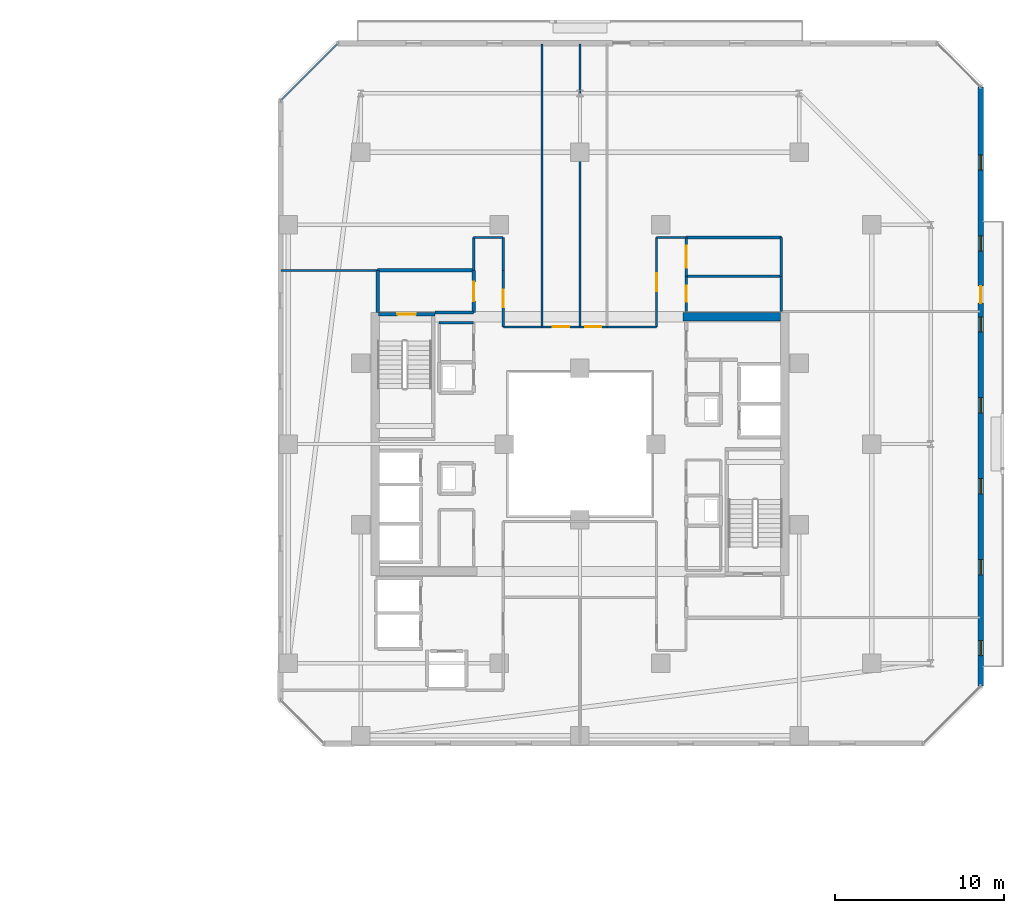
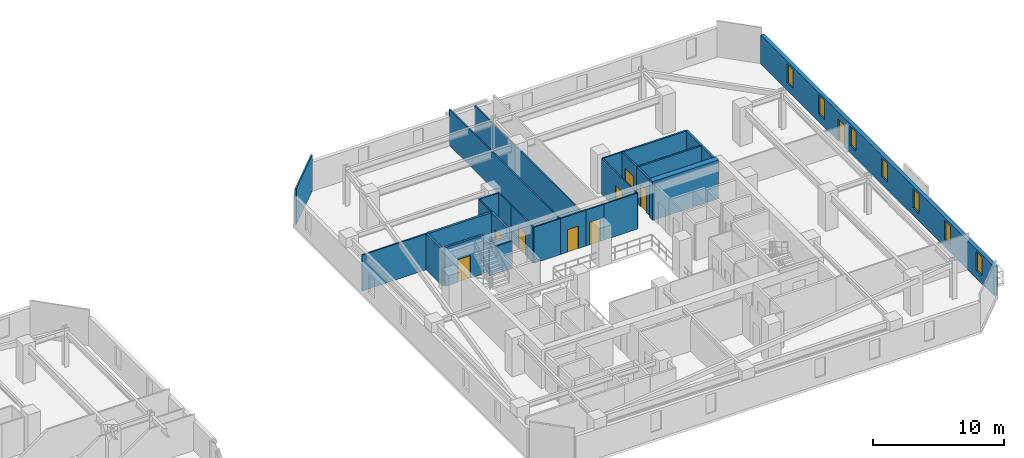
# One storey, part 25 of 33: 28 walls, 9 doors, 7 windows, 16 openings.
"""IFC4 building model written with IfcOpenShell, lengths in metres."""

from ifc_helpers import new_model, si_unit, direction, frame, frame_2d, origin, place, context, subcontext, project, spatial, rectangle, extrude, material, layer, layer_set, type_object, element, fill, save


model = new_model("IFC4")

# Units and contexts
model_context = context("Model", 3, precision=1e-05, world=origin(), true_north=direction((0.0, 1.0)))
body_context = subcontext(model_context, "Body", "Model", "MODEL_VIEW")
ifc_project = project(units=[si_unit("LENGTHUNIT", "METRE"), si_unit("AREAUNIT", "SQUARE_METRE"), si_unit("VOLUMEUNIT", "CUBIC_METRE"), si_unit("PLANEANGLEUNIT", "RADIAN"), si_unit("MASSUNIT", "GRAM", prefix="KILO")], contexts=[model_context])

# Site, building, storey
site_placement = place(None, origin())
site = spatial("IfcSite", under=ifc_project, at=site_placement, CompositionType="ELEMENT")
building_placement = place(site_placement, origin())
building = spatial("IfcBuilding", under=site, at=building_placement, Name="Thornwick Lancets Civic Towers", CompositionType="ELEMENT")
storey_placement = place(building_placement, frame((0.0, 0.0, 159.89990234375)))
storey = spatial("IfcBuildingStorey", under=building, at=storey_placement, Name="L42", CompositionType="ELEMENT", Elevation=159.89990234375)

# Wall
ifc_material_1 = material(Name="Concrete blockwork C40/50", Category="masonry")
ifc_layer_1 = layer(ifc_material_1, 0.199951171875, Name="Concrete blockwork C40/50")
ifc_layer_set_1 = layer_set([ifc_layer_1], Name="Concrete blockwork C40/50")
wall_type_1 = type_object("IfcWallType", Name="WALL_COMP_200", PredefinedType="STANDARD", material=ifc_layer_set_1)
wall_1_placement = place(storey_placement, frame((79.89990234375, 34.800048828125, 0.0), z_axis=(0.0, 0.0, 1.0), x_axis=(1.0, 0.0, 0.0)))
element("IfcWall", 1, at=wall_1_placement, inside=storey, type_object=wall_type_1, Name="L42 Partition L42-B-FFLOB2 E1", PredefinedType="STANDARD", context=body_context, shape_type="SweptSolid", body=[
    extrude(rectangle(XDim=2.300048828125, YDim=0.199951171875, at=frame_2d((1.14990234375, 0.0))), origin(), (0.0, 0.0, 1.0), 2.545166015625),
])

# Wall, opening, door
wall_2_placement = place(storey_placement, frame((82.199951171875, 34.800048828125, 0.0), z_axis=(0.0, 0.0, 1.0), x_axis=(0.0, 1.0, 0.0)))
wall_2 = element("IfcWall", 2, at=wall_2_placement, inside=storey, type_object=wall_type_1, Name="L42 Partition L42-B-FFLOB2 E2", PredefinedType="STANDARD", context=body_context, shape_type="SweptSolid", body=[
    extrude(rectangle(XDim=2.5, YDim=0.199951171875, at=frame_2d((1.25, 0.0))), origin(), (0.0, 0.0, 1.0), 3.340087890625),
])
opening_1_placement = place(wall_2_placement, frame((0.675048828125, 0.0, 0.0)))
opening_1 = element("IfcOpeningElement", 3, at=opening_1_placement, cuts=wall_2, Name="Opening D-L42-1878", PredefinedType="OPENING", context=body_context, shape_type="SweptSolid", body=[
    extrude(rectangle(XDim=1.14990234375, YDim=2.10009765625, at=frame_2d((0.574951171875, 1.050048828125))), frame((0.0, 0.10986328125, 0.0), z_axis=(0.0, -1.0, 0.0), x_axis=(1.0, 0.0, 0.0)), (0.0, 0.0, 1.0), 0.219970703125),
])
ifc_material_2 = material(Name="Glazed fire-resisting steel", Category="steel")
door_type_1 = type_object("IfcDoorType", Name="DOOR_LOBBY_FD60", OperationType="NOTDEFINED", PredefinedType="DOOR", material=ifc_material_2)
door_1_placement = place(opening_1_placement, origin())
door_1 = element("IfcDoor", 4, at=door_1_placement, inside=storey, type_object=door_type_1, Name="L42 West Firefighting Lobby 2 Door", OperationType="SINGLE_SWING_LEFT", OverallHeight=2.10009765625, OverallWidth=1.14990234375, PredefinedType="DOOR", context=body_context, shape_type="SweptSolid", body=[
    extrude(rectangle(XDim=1.14990234375, YDim=2.10009765625, at=frame_2d((0.574951171875, 1.050048828125))), frame((0.0, 0.02490234375, 0.0), z_axis=(0.0, -1.0, 0.0), x_axis=(1.0, 0.0, 0.0)), (0.0, 0.0, 1.0), 0.050048828125),
])
fill(opening_1, door_1)

# Walls
wall_3_placement = place(storey_placement, frame((82.199951171875, 37.300048828125, 0.0), z_axis=(0.0, 0.0, 1.0), x_axis=(-1.0, 0.0, 0.0)))
element("IfcWall", 5, at=wall_3_placement, inside=storey, type_object=wall_type_1, Name="L42 Partition L42-B-FFLOB2 E3", PredefinedType="STANDARD", context=body_context, shape_type="SweptSolid", body=[
    extrude(rectangle(XDim=5.699951171875, YDim=0.199951171875, at=frame_2d((2.85009765625, 0.0))), origin(), (0.0, 0.0, 1.0), 3.340087890625),
])
wall_4_placement = place(storey_placement, frame((76.5, 37.300048828125, 0.0), z_axis=(0.0, 0.0, 1.0), x_axis=(0.0, -1.0, 0.0)))
element("IfcWall", 6, at=wall_4_placement, inside=storey, type_object=wall_type_1, Name="L42 Partition L42-B-FFLOB2 E4", PredefinedType="STANDARD", context=body_context, shape_type="SweptSolid", body=[
    extrude(rectangle(XDim=2.5, YDim=0.199951171875, at=frame_2d((1.25, 0.0))), origin(), (0.0, 0.0, 1.0), 3.340087890625),
])
ifc_material_3 = material(Name="Concrete C50/60", Category="concrete")
ifc_layer_2 = layer(ifc_material_3, 0.5, Name="Concrete C50/60")
ifc_layer_set_2 = layer_set([ifc_layer_2], Name="Concrete C50/60")
wall_type_2 = type_object("IfcWallType", Name="WALL_CORE_500", PredefinedType="SHEAR", material=ifc_layer_set_2)
wall_5_placement = place(storey_placement, frame((94.60009765625, 34.550048828125, 0.0), z_axis=(0.0, 0.0, 1.0), x_axis=(1.0, 0.0, 0.0)))
element("IfcWall", 7, at=wall_5_placement, inside=storey, type_object=wall_type_2, Name="L42 Split Core B1 Shear Wall N", PredefinedType="SHEAR", context=body_context, shape_type="SweptSolid", body=[
    extrude(rectangle(XDim=5.7998046875, YDim=0.5, at=frame_2d((2.89990234375, 0.0))), origin(), (0.0, 0.0, 1.0), 3.60009765625),
])

# Wall, openings, door, windows
ifc_material_4 = material(Name="Insulated buff terracotta rainscreen on concrete C40/50", Category="masonry")
ifc_layer_3 = layer(ifc_material_4, 0.320068359375, Name="Insulated buff terracotta rainscreen on concrete C40/50")
ifc_layer_set_3 = layer_set([ifc_layer_3], Name="Insulated buff terracotta rainscreen on concrete C40/50")
wall_type_3 = type_object("IfcWallType", Name="WALL_EXT_TERRA_320", PredefinedType="STANDARD", material=ifc_layer_set_3)
wall_6_placement = place(storey_placement, frame((112.261962890625, 12.646484375, 0.0), z_axis=(0.0, 0.0, 1.0), x_axis=(7.5574884e-05, 0.999999997144, 0.0)))
wall_6 = element("IfcWall", 8, at=wall_6_placement, inside=storey, type_object=wall_type_3, Name="L42 Tower B Terracotta Facade Wall E2", PredefinedType="STANDARD", context=body_context, shape_type="SweptSolid", body=[
    extrude(rectangle(XDim=35.534912109375, YDim=0.320068359375, at=frame_2d((17.767578125, 0.0))), origin(), (0.0, 0.0, 1.0), 2.7001953125),
])
opening_2_placement = place(wall_6_placement, frame((22.717529296875, 0.0, 0.0)))
opening_2 = element("IfcOpeningElement", 9, at=opening_2_placement, cuts=wall_6, Name="Opening D-BL-L42-BE", PredefinedType="OPENING", context=body_context, shape_type="SweptSolid", body=[
    extrude(rectangle(XDim=1.0, YDim=2.080078125, at=frame_2d((0.5, 1.0400390625))), frame((0.0, 0.169921875, 0.0), z_axis=(0.0, -1.0, 0.0), x_axis=(1.0, 0.0, 0.0)), (0.0, 0.0, 1.0), 0.340087890625),
])
opening_3_placement = place(wall_6_placement, frame((1.800048828125, 0.0, 0.719970703125)))
opening_3 = element("IfcOpeningElement", 10, at=opening_3_placement, cuts=wall_6, Name="Opening WL-01", PredefinedType="OPENING", context=body_context, shape_type="SweptSolid", body=[
    extrude(rectangle(XDim=0.89990234375, YDim=1.75, at=frame_2d((0.449951171875, 0.875))), frame((0.0, 0.169921875, 0.0), z_axis=(0.0, -1.0, 0.0), x_axis=(1.0, 0.0, 0.0)), (0.0, 0.0, 1.0), 0.340087890625),
])
opening_4_placement = place(wall_6_placement, frame((6.60009765625, 0.0, 0.719970703125)))
opening_4 = element("IfcOpeningElement", 11, at=opening_4_placement, cuts=wall_6, Name="Opening WL-01", PredefinedType="OPENING", context=body_context, shape_type="SweptSolid", body=[
    extrude(rectangle(XDim=0.89990234375, YDim=1.75, at=frame_2d((0.449951171875, 0.875))), frame((0.0, 0.169921875, 0.0), z_axis=(0.0, -1.0, 0.0), x_axis=(1.0, 0.0, 0.0)), (0.0, 0.0, 1.0), 0.340087890625),
])
opening_5_placement = place(wall_6_placement, frame((11.39990234375, 0.0, 0.719970703125)))
opening_5 = element("IfcOpeningElement", 12, at=opening_5_placement, cuts=wall_6, Name="Opening WL-01", PredefinedType="OPENING", context=body_context, shape_type="SweptSolid", body=[
    extrude(rectangle(XDim=0.89990234375, YDim=1.75, at=frame_2d((0.449951171875, 0.875))), frame((0.0, 0.169921875, 0.0), z_axis=(0.0, -1.0, 0.0), x_axis=(1.0, 0.0, 0.0)), (0.0, 0.0, 1.0), 0.340087890625),
])
opening_6_placement = place(wall_6_placement, frame((16.199951171875, 0.0, 0.719970703125)))
opening_6 = element("IfcOpeningElement", 13, at=opening_6_placement, cuts=wall_6, Name="Opening WL-01", PredefinedType="OPENING", context=body_context, shape_type="SweptSolid", body=[
    extrude(rectangle(XDim=0.89990234375, YDim=1.75, at=frame_2d((0.449951171875, 0.875))), frame((0.0, 0.169921875, 0.0), z_axis=(0.0, -1.0, 0.0), x_axis=(1.0, 0.0, 0.0)), (0.0, 0.0, 1.0), 0.340087890625),
])
opening_7_placement = place(wall_6_placement, frame((21.0, 0.0, 0.719970703125)))
opening_7 = element("IfcOpeningElement", 14, at=opening_7_placement, cuts=wall_6, Name="Opening WL-01", PredefinedType="OPENING", context=body_context, shape_type="SweptSolid", body=[
    extrude(rectangle(XDim=0.89990234375, YDim=1.75, at=frame_2d((0.449951171875, 0.875))), frame((0.0, 0.169921875, 0.0), z_axis=(0.0, -1.0, 0.0), x_axis=(1.0, 0.0, 0.0)), (0.0, 0.0, 1.0), 0.340087890625),
])
opening_8_placement = place(wall_6_placement, frame((25.800048828125, 0.0, 0.719970703125)))
opening_8 = element("IfcOpeningElement", 15, at=opening_8_placement, cuts=wall_6, Name="Opening WL-01", PredefinedType="OPENING", context=body_context, shape_type="SweptSolid", body=[
    extrude(rectangle(XDim=0.89990234375, YDim=1.75, at=frame_2d((0.449951171875, 0.875))), frame((0.0, 0.169921875, 0.0), z_axis=(0.0, -1.0, 0.0), x_axis=(1.0, 0.0, 0.0)), (0.0, 0.0, 1.0), 0.340087890625),
])
opening_9_placement = place(wall_6_placement, frame((30.60009765625, 0.0, 0.719970703125)))
opening_9 = element("IfcOpeningElement", 16, at=opening_9_placement, cuts=wall_6, Name="Opening WL-01", PredefinedType="OPENING", context=body_context, shape_type="SweptSolid", body=[
    extrude(rectangle(XDim=0.89990234375, YDim=1.75, at=frame_2d((0.449951171875, 0.875))), frame((0.0, 0.169921875, 0.0), z_axis=(0.0, -1.0, 0.0), x_axis=(1.0, 0.0, 0.0)), (0.0, 0.0, 1.0), 0.340087890625),
])
ifc_material_5 = material(Name="Thermally broken glazed loggia doorset")
door_type_2 = type_object("IfcDoorType", Name="DOOR_BALC_1000", OperationType="NOTDEFINED", PredefinedType="DOOR", material=ifc_material_5)
door_2_placement = place(opening_2_placement, origin())
door_2 = element("IfcDoor", 17, at=door_2_placement, inside=storey, type_object=door_type_2, Name="L42 Tower B Loggia Balcony Door E", OperationType="SINGLE_SWING_LEFT", OverallHeight=2.080078125, OverallWidth=1.0, PredefinedType="DOOR", context=body_context, shape_type="SweptSolid", body=[
    extrude(rectangle(XDim=1.0, YDim=2.080078125, at=frame_2d((0.5, 1.0400390625))), frame((0.0, 0.02490234375, 0.0), z_axis=(0.0, -1.0, 0.0), x_axis=(1.0, 0.0, 0.0)), (0.0, 0.0, 1.0), 0.050048828125),
])
fill(opening_2, door_2)
ifc_material_6 = material(Name="Clear low-e double glazing in bronze frame", Category="glass")
window_type = type_object("IfcWindowType", Name="WIN_LANCET_900", PartitioningType="SINGLE_PANEL", PredefinedType="WINDOW", material=ifc_material_6)
window_1_placement = place(opening_3_placement, origin())
window_1 = element("IfcWindow", 18, at=window_1_placement, inside=storey, type_object=window_type, Name="L42 Tower B Staggered Lancet Window E2-1", OverallHeight=1.75, OverallWidth=0.89990234375, PartitioningType="SINGLE_PANEL", PredefinedType="WINDOW", context=body_context, shape_type="SweptSolid", body=[
    extrude(rectangle(XDim=0.89990234375, YDim=1.75, at=frame_2d((0.449951171875, 0.875))), frame((0.0, 0.030029296875, 0.0), z_axis=(0.0, -1.0, 0.0), x_axis=(1.0, 0.0, 0.0)), (0.0, 0.0, 1.0), 0.06005859375),
])
fill(opening_3, window_1)
window_2_placement = place(opening_4_placement, origin())
window_2 = element("IfcWindow", 19, at=window_2_placement, inside=storey, type_object=window_type, Name="L42 Tower B Staggered Lancet Window E2-2", OverallHeight=1.75, OverallWidth=0.89990234375, PartitioningType="SINGLE_PANEL", PredefinedType="WINDOW", context=body_context, shape_type="SweptSolid", body=[
    extrude(rectangle(XDim=0.89990234375, YDim=1.75, at=frame_2d((0.449951171875, 0.875))), frame((0.0, 0.030029296875, 0.0), z_axis=(0.0, -1.0, 0.0), x_axis=(1.0, 0.0, 0.0)), (0.0, 0.0, 1.0), 0.06005859375),
])
fill(opening_4, window_2)
window_3_placement = place(opening_5_placement, origin())
window_3 = element("IfcWindow", 20, at=window_3_placement, inside=storey, type_object=window_type, Name="L42 Tower B Staggered Lancet Window E2-3", OverallHeight=1.75, OverallWidth=0.89990234375, PartitioningType="SINGLE_PANEL", PredefinedType="WINDOW", context=body_context, shape_type="SweptSolid", body=[
    extrude(rectangle(XDim=0.89990234375, YDim=1.75, at=frame_2d((0.449951171875, 0.875))), frame((0.0, 0.030029296875, 0.0), z_axis=(0.0, -1.0, 0.0), x_axis=(1.0, 0.0, 0.0)), (0.0, 0.0, 1.0), 0.06005859375),
])
fill(opening_5, window_3)
window_4_placement = place(opening_6_placement, origin())
window_4 = element("IfcWindow", 21, at=window_4_placement, inside=storey, type_object=window_type, Name="L42 Tower B Staggered Lancet Window E2-4", OverallHeight=1.75, OverallWidth=0.89990234375, PartitioningType="SINGLE_PANEL", PredefinedType="WINDOW", context=body_context, shape_type="SweptSolid", body=[
    extrude(rectangle(XDim=0.89990234375, YDim=1.75, at=frame_2d((0.449951171875, 0.875))), frame((0.0, 0.030029296875, 0.0), z_axis=(0.0, -1.0, 0.0), x_axis=(1.0, 0.0, 0.0)), (0.0, 0.0, 1.0), 0.06005859375),
])
fill(opening_6, window_4)
window_5_placement = place(opening_7_placement, origin())
window_5 = element("IfcWindow", 22, at=window_5_placement, inside=storey, type_object=window_type, Name="L42 Tower B Staggered Lancet Window E2-5", OverallHeight=1.75, OverallWidth=0.89990234375, PartitioningType="SINGLE_PANEL", PredefinedType="WINDOW", context=body_context, shape_type="SweptSolid", body=[
    extrude(rectangle(XDim=0.89990234375, YDim=1.75, at=frame_2d((0.449951171875, 0.875))), frame((0.0, 0.030029296875, 0.0), z_axis=(0.0, -1.0, 0.0), x_axis=(1.0, 0.0, 0.0)), (0.0, 0.0, 1.0), 0.06005859375),
])
fill(opening_7, window_5)
window_6_placement = place(opening_8_placement, origin())
window_6 = element("IfcWindow", 23, at=window_6_placement, inside=storey, type_object=window_type, Name="L42 Tower B Staggered Lancet Window E2-6", OverallHeight=1.75, OverallWidth=0.89990234375, PartitioningType="SINGLE_PANEL", PredefinedType="WINDOW", context=body_context, shape_type="SweptSolid", body=[
    extrude(rectangle(XDim=0.89990234375, YDim=1.75, at=frame_2d((0.449951171875, 0.875))), frame((0.0, 0.030029296875, 0.0), z_axis=(0.0, -1.0, 0.0), x_axis=(1.0, 0.0, 0.0)), (0.0, 0.0, 1.0), 0.06005859375),
])
fill(opening_8, window_6)
window_7_placement = place(opening_9_placement, origin())
window_7 = element("IfcWindow", 24, at=window_7_placement, inside=storey, type_object=window_type, Name="L42 Tower B Staggered Lancet Window E2-7", OverallHeight=1.75, OverallWidth=0.89990234375, PartitioningType="SINGLE_PANEL", PredefinedType="WINDOW", context=body_context, shape_type="SweptSolid", body=[
    extrude(rectangle(XDim=0.89990234375, YDim=1.75, at=frame_2d((0.449951171875, 0.875))), frame((0.0, 0.030029296875, 0.0), z_axis=(0.0, -1.0, 0.0), x_axis=(1.0, 0.0, 0.0)), (0.0, 0.0, 1.0), 0.06005859375),
])
fill(opening_9, window_7)

# Wall
ifc_material_7 = material(Name="Acoustic gypsum board partition")
ifc_layer_4 = layer(ifc_material_7, 0.1201171875, Name="Acoustic gypsum board partition")
ifc_layer_set_4 = layer_set([ifc_layer_4], Name="Acoustic gypsum board partition")
wall_type_4 = type_object("IfcWallType", Name="WALL_PART_120", PredefinedType="PARTITIONING", material=ifc_layer_set_4)
wall_7_placement = place(storey_placement, frame((94.800048828125, 39.25, 0.0), z_axis=(0.0, 0.0, 1.0), x_axis=(-1.0, 0.0, 0.0)))
element("IfcWall", 25, at=wall_7_placement, inside=storey, type_object=wall_type_4, Name="L42 Partition L42-B-E1 E4", PredefinedType="PARTITIONING", context=body_context, shape_type="SweptSolid", body=[
    extrude(rectangle(XDim=1.75, YDim=0.1201171875, at=frame_2d((0.875, 0.0))), origin(), (0.0, 0.0, 1.0), 3.340087890625),
])

# Wall, opening, door
wall_8_placement = place(storey_placement, frame((93.050048828125, 39.25, 0.0), z_axis=(0.0, 0.0, 1.0), x_axis=(0.0, -1.0, 0.0)))
wall_8 = element("IfcWall", 26, at=wall_8_placement, inside=storey, type_object=wall_type_4, Name="L42 Partition L42-B-E1 E5", PredefinedType="PARTITIONING", context=body_context, shape_type="SweptSolid", body=[
    extrude(rectangle(XDim=5.300048828125, YDim=0.1201171875, at=frame_2d((2.64990234375, 0.0))), origin(), (0.0, 0.0, 1.0), 3.340087890625),
])
opening_10_placement = place(wall_8_placement, frame((2.125, 0.0, 0.0)))
opening_10 = element("IfcOpeningElement", 27, at=opening_10_placement, cuts=wall_8, Name="Opening D-L42-1903", PredefinedType="OPENING", context=body_context, shape_type="SweptSolid", body=[
    extrude(rectangle(XDim=1.050048828125, YDim=2.10009765625, at=frame_2d((0.52490234375, 1.050048828125))), frame((0.0, 0.070068359375, 0.0), z_axis=(0.0, -1.0, 0.0), x_axis=(1.0, 0.0, 0.0)), (0.0, 0.0, 1.0), 0.14013671875),
])
ifc_material_8 = material(Name="Glazed European oak executive doorset")
door_type_3 = type_object("IfcDoorType", Name="DOOR_OFFICE_1050", OperationType="NOTDEFINED", PredefinedType="DOOR", material=ifc_material_8)
door_3_placement = place(opening_10_placement, origin())
door_3 = element("IfcDoor", 28, at=door_3_placement, inside=storey, type_object=door_type_3, Name="L42 Tower B Secretariat Open Office E1 Door", OperationType="SINGLE_SWING_RIGHT", OverallHeight=2.10009765625, OverallWidth=1.050048828125, PredefinedType="DOOR", context=body_context, shape_type="SweptSolid", body=[
    extrude(rectangle(XDim=1.050048828125, YDim=2.10009765625, at=frame_2d((0.52490234375, 1.050048828125))), frame((0.0, 0.02490234375, 0.0), z_axis=(0.0, -1.0, 0.0), x_axis=(1.0, 0.0, 0.0)), (0.0, 0.0, 1.0), 0.050048828125),
])
fill(opening_10, door_3)

# Walls
wall_9_placement = place(storey_placement, frame((93.050048828125, 33.949951171875, 0.0), z_axis=(0.0, 0.0, 1.0), x_axis=(-1.0, 0.0, 0.0)))
element("IfcWall", 29, at=wall_9_placement, inside=storey, type_object=wall_type_4, Name="L42 Partition L42-B-E1 E6", PredefinedType="PARTITIONING", context=body_context, shape_type="SweptSolid", body=[
    extrude(rectangle(XDim=2.949951171875, YDim=0.1201171875, at=frame_2d((1.47509765625, 0.0))), origin(), (0.0, 0.0, 1.0), 3.340087890625),
])
wall_10_placement = place(storey_placement, frame((88.5, 33.949951171875, 0.0), z_axis=(0.0, 0.0, 1.0), x_axis=(0.0, 1.0, 0.0)))
element("IfcWall", 30, at=wall_10_placement, inside=storey, type_object=wall_type_4, Name="L42 Partition L42-B-E2 E1", PredefinedType="PARTITIONING", context=body_context, shape_type="SweptSolid", body=[
    extrude(rectangle(XDim=16.77001953125, YDim=0.1201171875, at=frame_2d((8.385009765625, 0.0))), origin(), (0.0, 0.0, 1.0), 2.8779296875),
])

# Wall, opening, door
wall_11_placement = place(storey_placement, frame((90.10009765625, 33.949951171875, 0.0), z_axis=(0.0, 0.0, 1.0), x_axis=(-1.0, 0.0, 0.0)))
wall_11 = element("IfcWall", 31, at=wall_11_placement, inside=storey, type_object=wall_type_4, Name="L42 Partition L42-B-E2 E4", PredefinedType="PARTITIONING", context=body_context, shape_type="SweptSolid", body=[
    extrude(rectangle(XDim=1.60009765625, YDim=0.1201171875, at=frame_2d((0.800048828125, 0.0))), origin(), (0.0, 0.0, 1.0), 3.340087890625),
])
opening_11_placement = place(wall_11_placement, frame((0.324951171875, 0.0, 0.0)))
opening_11 = element("IfcOpeningElement", 32, at=opening_11_placement, cuts=wall_11, Name="Opening D-L42-1904", PredefinedType="OPENING", context=body_context, shape_type="SweptSolid", body=[
    extrude(rectangle(XDim=0.949951171875, YDim=2.10009765625, at=frame_2d((0.47509765625, 1.050048828125))), frame((0.0, 0.070068359375, 0.0), z_axis=(0.0, -1.0, 0.0), x_axis=(1.0, 0.0, 0.0)), (0.0, 0.0, 1.0), 0.14013671875),
])
ifc_material_9 = material(Name="European oak acoustic doorset")
door_type_4 = type_object("IfcDoorType", Name="DOOR_OFFICE_950", OperationType="NOTDEFINED", PredefinedType="DOOR", material=ifc_material_9)
door_4_placement = place(opening_11_placement, origin())
door_4 = element("IfcDoor", 33, at=door_4_placement, inside=storey, type_object=door_type_4, Name="L42 Tower B Visitors Reception and Waiting Door", OperationType="SINGLE_SWING_LEFT", OverallHeight=2.10009765625, OverallWidth=0.949951171875, PredefinedType="DOOR", context=body_context, shape_type="SweptSolid", body=[
    extrude(rectangle(XDim=0.949951171875, YDim=2.10009765625, at=frame_2d((0.47509765625, 1.050048828125))), frame((0.0, 0.02490234375, 0.0), z_axis=(0.0, -1.0, 0.0), x_axis=(1.0, 0.0, 0.0)), (0.0, 0.0, 1.0), 0.050048828125),
])
fill(opening_11, door_4)

# Wall
wall_12_placement = place(storey_placement, frame((86.25, 33.949951171875, 0.0), z_axis=(0.0, 0.0, 1.0), x_axis=(0.0, 1.0, 0.0)))
element("IfcWall", 34, at=wall_12_placement, inside=storey, type_object=wall_type_4, Name="L42 Partition L42-B-E3 E1", PredefinedType="PARTITIONING", context=body_context, shape_type="SweptSolid", body=[
    extrude(rectangle(XDim=16.77001953125, YDim=0.1201171875, at=frame_2d((8.385009765625, 0.0))), origin(), (0.0, 0.0, 1.0), 3.340087890625),
])

# Wall, opening, door
wall_13_placement = place(storey_placement, frame((88.5, 33.949951171875, 0.0), z_axis=(0.0, 0.0, 1.0), x_axis=(-1.0, 0.0, 0.0)))
wall_13 = element("IfcWall", 35, at=wall_13_placement, inside=storey, type_object=wall_type_4, Name="L42 Partition L42-B-E3 E4", PredefinedType="PARTITIONING", context=body_context, shape_type="SweptSolid", body=[
    extrude(rectangle(XDim=2.25, YDim=0.1201171875, at=frame_2d((1.125, 0.0))), origin(), (0.0, 0.0, 1.0), 3.340087890625),
])
opening_12_placement = place(wall_13_placement, frame((0.64990234375, 0.0, 0.0)))
opening_12 = element("IfcOpeningElement", 36, at=opening_12_placement, cuts=wall_13, Name="Opening D-L42-1905", PredefinedType="OPENING", context=body_context, shape_type="SweptSolid", body=[
    extrude(rectangle(XDim=0.949951171875, YDim=2.10009765625, at=frame_2d((0.47509765625, 1.050048828125))), frame((0.0, 0.070068359375, 0.0), z_axis=(0.0, -1.0, 0.0), x_axis=(1.0, 0.0, 0.0)), (0.0, 0.0, 1.0), 0.14013671875),
])
door_5_placement = place(opening_12_placement, origin())
door_5 = element("IfcDoor", 37, at=door_5_placement, inside=storey, type_object=door_type_4, Name="L42 Tower B Civic Seminar Room Door", OperationType="SINGLE_SWING_RIGHT", OverallHeight=2.10009765625, OverallWidth=0.949951171875, PredefinedType="DOOR", context=body_context, shape_type="SweptSolid", body=[
    extrude(rectangle(XDim=0.949951171875, YDim=2.10009765625, at=frame_2d((0.47509765625, 1.050048828125))), frame((0.0, 0.02490234375, 0.0), z_axis=(0.0, -1.0, 0.0), x_axis=(1.0, 0.0, 0.0)), (0.0, 0.0, 1.0), 0.050048828125),
])
fill(opening_12, door_5)

wall_14_placement = place(storey_placement, frame((83.949951171875, 33.949951171875, 0.0), z_axis=(0.0, 0.0, 1.0), x_axis=(0.0, 1.0, 0.0)))
wall_14 = element("IfcWall", 38, at=wall_14_placement, inside=storey, type_object=wall_type_4, Name="L42 Partition L42-B-E4 E1", PredefinedType="PARTITIONING", context=body_context, shape_type="SweptSolid", body=[
    extrude(rectangle(XDim=3.35009765625, YDim=0.1201171875, at=frame_2d((1.675048828125, 0.0))), origin(), (0.0, 0.0, 1.0), 3.340087890625),
])
opening_13_placement = place(wall_14_placement, frame((1.14990234375, 0.0, 0.0)))
opening_13 = element("IfcOpeningElement", 39, at=opening_13_placement, cuts=wall_14, Name="Opening D-L42-1906", PredefinedType="OPENING", context=body_context, shape_type="SweptSolid", body=[
    extrude(rectangle(XDim=1.050048828125, YDim=2.10009765625, at=frame_2d((0.52490234375, 1.050048828125))), frame((0.0, 0.070068359375, 0.0), z_axis=(0.0, -1.0, 0.0), x_axis=(1.0, 0.0, 0.0)), (0.0, 0.0, 1.0), 0.14013671875),
])
door_6_placement = place(opening_13_placement, origin())
door_6 = element("IfcDoor", 40, at=door_6_placement, inside=storey, type_object=door_type_3, Name="L42 Tower B Counsel Chambers Office E4 Door", OperationType="SINGLE_SWING_LEFT", OverallHeight=2.10009765625, OverallWidth=1.050048828125, PredefinedType="DOOR", context=body_context, shape_type="SweptSolid", body=[
    extrude(rectangle(XDim=1.050048828125, YDim=2.10009765625, at=frame_2d((0.52490234375, 1.050048828125))), frame((0.0, 0.02490234375, 0.0), z_axis=(0.0, -1.0, 0.0), x_axis=(1.0, 0.0, 0.0)), (0.0, 0.0, 1.0), 0.050048828125),
])
fill(opening_13, door_6)

# Walls
wall_15_placement = place(storey_placement, frame((83.949951171875, 37.300048828125, 0.0), z_axis=(0.0, 0.0, 1.0), x_axis=(0.0, 1.0, 0.0)))
element("IfcWall", 41, at=wall_15_placement, inside=storey, type_object=wall_type_4, Name="L42 Partition L42-B-E4 E2", PredefinedType="PARTITIONING", context=body_context, shape_type="SweptSolid", body=[
    extrude(rectangle(XDim=1.949951171875, YDim=0.1201171875, at=frame_2d((0.97509765625, 0.0))), origin(), (0.0, 0.0, 1.0), 3.340087890625),
])
wall_16_placement = place(storey_placement, frame((83.949951171875, 39.25, 0.0), z_axis=(0.0, 0.0, 1.0), x_axis=(-1.0, 0.0, 0.0)))
element("IfcWall", 42, at=wall_16_placement, inside=storey, type_object=wall_type_4, Name="L42 Partition L42-B-E4 E3", PredefinedType="PARTITIONING", context=body_context, shape_type="SweptSolid", body=[
    extrude(rectangle(XDim=1.75, YDim=0.1201171875, at=frame_2d((0.875, 0.0))), origin(), (0.0, 0.0, 1.0), 3.340087890625),
])
wall_17_placement = place(storey_placement, frame((82.199951171875, 39.25, 0.0), z_axis=(0.0, 0.0, 1.0), x_axis=(0.0, -1.0, 0.0)))
element("IfcWall", 43, at=wall_17_placement, inside=storey, type_object=wall_type_4, Name="L42 Partition L42-B-E4 E4", PredefinedType="PARTITIONING", context=body_context, shape_type="SweptSolid", body=[
    extrude(rectangle(XDim=1.949951171875, YDim=0.1201171875, at=frame_2d((0.97509765625, 0.0))), origin(), (0.0, 0.0, 1.0), 3.340087890625),
])
wall_18_placement = place(storey_placement, frame((76.5, 37.300048828125, 0.0), z_axis=(0.0, 0.0, 1.0), x_axis=(-1.0, 0.0, 0.0)))
element("IfcWall", 44, at=wall_18_placement, inside=storey, type_object=wall_type_4, Name="L42 Partition L42-B-E4 E6", PredefinedType="PARTITIONING", context=body_context, shape_type="SweptSolid", body=[
    extrude(rectangle(XDim=5.719970703125, YDim=0.1201171875, at=frame_2d((2.85986328125, 0.0))), origin(), (0.0, 0.0, 1.0), 3.340087890625),
])
wall_19_placement = place(storey_placement, frame((70.780029296875, 47.394287109375, 0.0), z_axis=(0.0, 0.0, 1.0), x_axis=(0.707106781187, 0.707106781187, 0.0)))
element("IfcWall", 45, at=wall_19_placement, inside=storey, type_object=wall_type_4, Name="L42 Partition L42-B-E4 E8", PredefinedType="PARTITIONING", context=body_context, shape_type="SweptSolid", body=[
    extrude(rectangle(XDim=4.703125, YDim=0.1201171875, at=frame_2d((2.3515625, 0.0))), origin(), (0.0, 0.0, 1.0), 3.340087890625),
])
wall_20_placement = place(storey_placement, frame((86.25, 33.949951171875, 0.0), z_axis=(0.0, 0.0, 1.0), x_axis=(-1.0, 0.0, 0.0)))
element("IfcWall", 46, at=wall_20_placement, inside=storey, type_object=wall_type_4, Name="L42 Partition L42-B-E4 E11", PredefinedType="PARTITIONING", context=body_context, shape_type="SweptSolid", body=[
    extrude(rectangle(XDim=2.300048828125, YDim=0.1201171875, at=frame_2d((1.14990234375, 0.0))), origin(), (0.0, 0.0, 1.0), 3.340087890625),
])
ifc_material_10 = material(Name="Twin-stud acoustic gypsum board")
ifc_layer_5 = layer(ifc_material_10, 0.14990234375, Name="Twin-stud acoustic gypsum board")
ifc_layer_set_5 = layer_set([ifc_layer_5], Name="Twin-stud acoustic gypsum board")
wall_type_5 = type_object("IfcWallType", Name="WALL_PART_150", PredefinedType="PARTITIONING", material=ifc_layer_set_5)
wall_21_placement = place(storey_placement, frame((80.14990234375, 34.199951171875, 0.0), z_axis=(0.0, 0.0, 1.0), x_axis=(1.0, 0.0, 0.0)))
element("IfcWall", 47, at=wall_21_placement, inside=storey, type_object=wall_type_5, Name="L42 Partition L42-B-FWC E2", PredefinedType="PARTITIONING", context=body_context, shape_type="SweptSolid", body=[
    extrude(rectangle(XDim=2.050048828125, YDim=0.14990234375, at=frame_2d((1.02490234375, 0.0))), origin(), (0.0, 0.0, 1.0), 2.545166015625),
])
wall_22_placement = place(storey_placement, frame((100.449951171875, 36.949951171875, 0.0), z_axis=(0.0, 0.0, 1.0), x_axis=(0.0, -1.0, 0.0)))
element("IfcWall", 48, at=wall_22_placement, inside=storey, type_object=wall_type_5, Name="L42 Partition L42-B-RECLAIM-L1 E1", PredefinedType="PARTITIONING", context=body_context, shape_type="SweptSolid", body=[
    extrude(rectangle(XDim=2.099853515625, YDim=0.14990234375, at=frame_2d((1.0498046875, 0.0))), origin(), (0.0, 0.0, 1.0), 3.340087890625),
])

# Wall, opening, door
wall_23_placement = place(storey_placement, frame((94.800048828125, 34.85009765625, 0.0), z_axis=(0.0, 0.0, 1.0), x_axis=(0.0, 1.0, 0.0)))
wall_23 = element("IfcWall", 49, at=wall_23_placement, inside=storey, type_object=wall_type_5, Name="L42 Partition L42-B-RECLAIM-L1 E3", PredefinedType="PARTITIONING", context=body_context, shape_type="SweptSolid", body=[
    extrude(rectangle(XDim=2.099853515625, YDim=0.14990234375, at=frame_2d((1.0498046875, 0.0))), origin(), (0.0, 0.0, 1.0), 3.340087890625),
])
opening_14_placement = place(wall_23_placement, frame((0.574951171875, 0.0, 0.0)))
opening_14 = element("IfcOpeningElement", 50, at=opening_14_placement, cuts=wall_23, Name="Opening D-L42-1898", PredefinedType="OPENING", context=body_context, shape_type="SweptSolid", body=[
    extrude(rectangle(XDim=0.949951171875, YDim=2.10009765625, at=frame_2d((0.47509765625, 1.050048828125))), frame((0.0, 0.0849609375, 0.0), z_axis=(0.0, -1.0, 0.0), x_axis=(1.0, 0.0, 0.0)), (0.0, 0.0, 1.0), 0.169921875),
])
door_7_placement = place(opening_14_placement, origin())
door_7 = element("IfcDoor", 51, at=door_7_placement, inside=storey, type_object=door_type_4, Name="L42 Tower B Policy Archive Door", OperationType="SINGLE_SWING_LEFT", OverallHeight=2.10009765625, OverallWidth=0.949951171875, PredefinedType="DOOR", context=body_context, shape_type="SweptSolid", body=[
    extrude(rectangle(XDim=0.949951171875, YDim=2.10009765625, at=frame_2d((0.47509765625, 1.050048828125))), frame((0.0, 0.02490234375, 0.0), z_axis=(0.0, -1.0, 0.0), x_axis=(1.0, 0.0, 0.0)), (0.0, 0.0, 1.0), 0.050048828125),
])
fill(opening_14, door_7)

# Wall
wall_24_placement = place(storey_placement, frame((94.800048828125, 36.949951171875, 0.0), z_axis=(0.0, 0.0, 1.0), x_axis=(1.0, 0.0, 0.0)))
element("IfcWall", 52, at=wall_24_placement, inside=storey, type_object=wall_type_5, Name="L42 Partition L42-B-RECLAIM-L1 E4", PredefinedType="PARTITIONING", context=body_context, shape_type="SweptSolid", body=[
    extrude(rectangle(XDim=5.64990234375, YDim=0.14990234375, at=frame_2d((2.824951171875, 0.0))), origin(), (0.0, 0.0, 1.0), 3.340087890625),
])

# Wall, opening, door
wall_25_placement = place(storey_placement, frame((94.800048828125, 36.949951171875, 0.0), z_axis=(0.0, 0.0, 1.0), x_axis=(0.0, 1.0, 0.0)))
wall_25 = element("IfcWall", 53, at=wall_25_placement, inside=storey, type_object=wall_type_5, Name="L42 Partition L42-B-RECLAIM-L2 E1", PredefinedType="PARTITIONING", context=body_context, shape_type="SweptSolid", body=[
    extrude(rectangle(XDim=2.300048828125, YDim=0.14990234375, at=frame_2d((1.14990234375, 0.0))), origin(), (0.0, 0.0, 1.0), 3.340087890625),
])
opening_15_placement = place(wall_25_placement, frame((0.5, 0.0, 0.0)))
opening_15 = element("IfcOpeningElement", 54, at=opening_15_placement, cuts=wall_25, Name="Opening D-L42-1899", PredefinedType="OPENING", context=body_context, shape_type="SweptSolid", body=[
    extrude(rectangle(XDim=1.300048828125, YDim=2.1201171875, at=frame_2d((0.64990234375, 1.06005859375))), frame((0.0, 0.0849609375, 0.0), z_axis=(0.0, -1.0, 0.0), x_axis=(1.0, 0.0, 0.0)), (0.0, 0.0, 1.0), 0.169921875),
])
ifc_material_11 = material(Name="Acoustic oak leaf-and-a-half doorset")
door_type_5 = type_object("IfcDoorType", Name="DOOR_MEET_1300", OperationType="DOUBLE_DOOR_SINGLE_SWING", PredefinedType="DOOR", material=ifc_material_11)
door_8_placement = place(opening_15_placement, origin())
door_8 = element("IfcDoor", 55, at=door_8_placement, inside=storey, type_object=door_type_5, Name="L42 Tower B Ministerial Consultation Room Door", OperationType="DOUBLE_DOOR_SINGLE_SWING", OverallHeight=2.1201171875, OverallWidth=1.300048828125, PredefinedType="DOOR", context=body_context, shape_type="SweptSolid", body=[
    extrude(rectangle(XDim=1.300048828125, YDim=2.1201171875, at=frame_2d((0.64990234375, 1.06005859375))), frame((0.0, 0.02490234375, 0.0), z_axis=(0.0, -1.0, 0.0), x_axis=(1.0, 0.0, 0.0)), (0.0, 0.0, 1.0), 0.050048828125),
])
fill(opening_15, door_8)

# Walls
wall_26_placement = place(storey_placement, frame((94.800048828125, 39.25, 0.0), z_axis=(0.0, 0.0, 1.0), x_axis=(1.0, 0.0, 0.0)))
element("IfcWall", 56, at=wall_26_placement, inside=storey, type_object=wall_type_5, Name="L42 Partition L42-B-RECLAIM-L2 E2", PredefinedType="PARTITIONING", context=body_context, shape_type="SweptSolid", body=[
    extrude(rectangle(XDim=5.64990234375, YDim=0.14990234375, at=frame_2d((2.824951171875, 0.0))), origin(), (0.0, 0.0, 1.0), 3.340087890625),
])
wall_27_placement = place(storey_placement, frame((100.449951171875, 39.25, 0.0), z_axis=(0.0, 0.0, 1.0), x_axis=(0.0, -1.0, 0.0)))
element("IfcWall", 57, at=wall_27_placement, inside=storey, type_object=wall_type_5, Name="L42 Partition L42-B-RECLAIM-L2 E3", PredefinedType="PARTITIONING", context=body_context, shape_type="SweptSolid", body=[
    extrude(rectangle(XDim=2.300048828125, YDim=0.14990234375, at=frame_2d((1.14990234375, 0.0))), origin(), (0.0, 0.0, 1.0), 3.340087890625),
])

# Wall, opening, door
ifc_material_12 = material(Name="Concrete C40/50", Category="concrete")
ifc_layer_6 = layer(ifc_material_12, 0.199951171875, Name="Concrete C40/50")
ifc_layer_set_6 = layer_set([ifc_layer_6], Name="Concrete C40/50")
wall_type_6 = type_object("IfcWallType", Name="WALL_SHAFT_200", PredefinedType="SHEAR", material=ifc_layer_set_6)
wall_28_placement = place(storey_placement, frame((76.550048828125, 34.699951171875, 0.0), z_axis=(0.0, 0.0, 1.0), x_axis=(1.0, 0.0, 0.0)))
wall_28 = element("IfcWall", 58, at=wall_28_placement, inside=storey, type_object=wall_type_6, Name="L42 ST-B2 Fire Stair Core Wall NEAR", PredefinedType="SHEAR", context=body_context, shape_type="SweptSolid", body=[
    extrude(rectangle(XDim=3.349853515625, YDim=0.199951171875, at=frame_2d((1.6748046875, 0.0))), origin(), (0.0, 0.0, 1.0), 3.60009765625),
])
opening_16_placement = place(wall_28_placement, frame((1.125, 0.0, 0.0)))
opening_16 = element("IfcOpeningElement", 59, at=opening_16_placement, cuts=wall_28, Name="Opening D-ST-B2-L42", PredefinedType="OPENING", context=body_context, shape_type="SweptSolid", body=[
    extrude(rectangle(XDim=1.10009765625, YDim=2.10009765625, at=frame_2d((0.550048828125, 1.050048828125))), frame((0.0, 0.10986328125, 0.0), z_axis=(0.0, -1.0, 0.0), x_axis=(1.0, 0.0, 0.0)), (0.0, 0.0, 1.0), 0.219970703125),
])
ifc_material_13 = material(Name="Fire-resisting steel and hardwood", Category="steel")
door_type_6 = type_object("IfcDoorType", Name="DOOR_STAIR_FD60", OperationType="NOTDEFINED", PredefinedType="DOOR", material=ifc_material_13)
door_9_placement = place(opening_16_placement, origin())
door_9 = element("IfcDoor", 60, at=door_9_placement, inside=storey, type_object=door_type_6, Name="L42 ST-B2 Exit Stair Door", OperationType="SINGLE_SWING_LEFT", OverallHeight=2.10009765625, OverallWidth=1.10009765625, PredefinedType="DOOR", context=body_context, shape_type="SweptSolid", body=[
    extrude(rectangle(XDim=1.10009765625, YDim=2.10009765625, at=frame_2d((0.550048828125, 1.050048828125))), frame((0.0, 0.02490234375, 0.0), z_axis=(0.0, -1.0, 0.0), x_axis=(1.0, 0.0, 0.0)), (0.0, 0.0, 1.0), 0.050048828125),
])
fill(opening_16, door_9)

save(model, "model.ifc")
